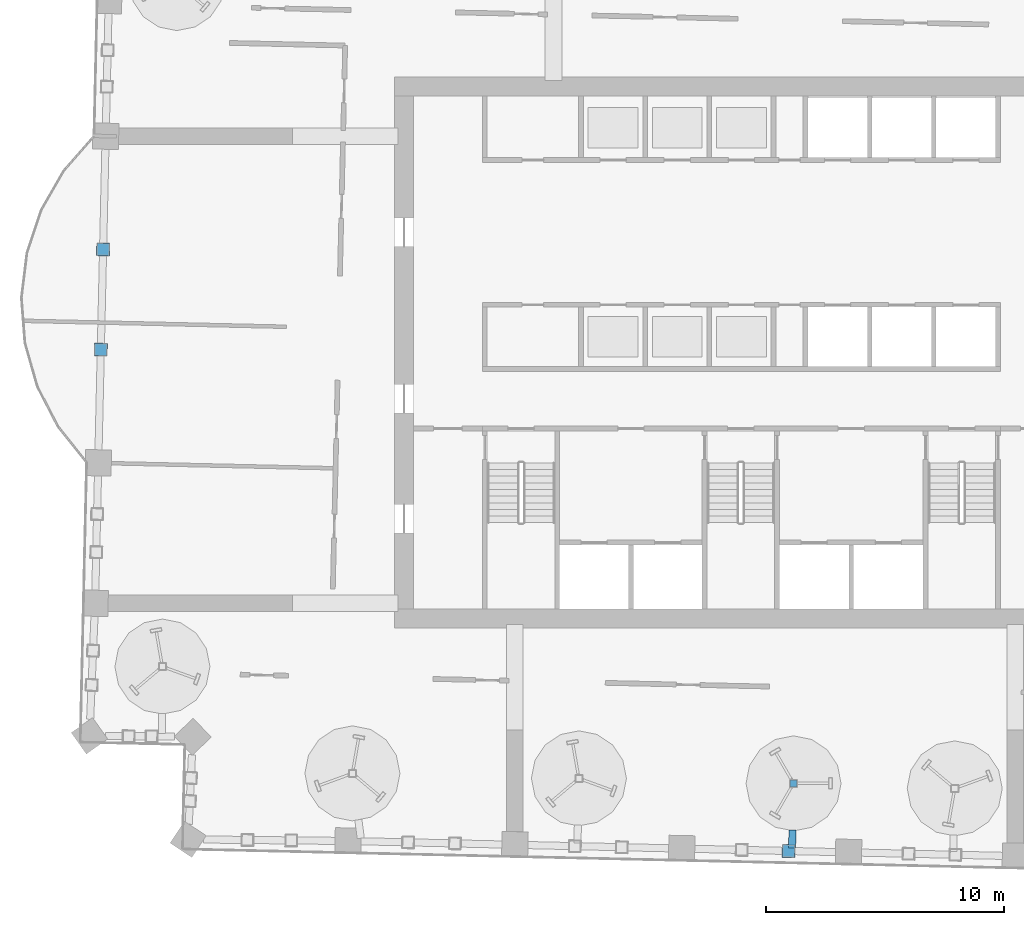
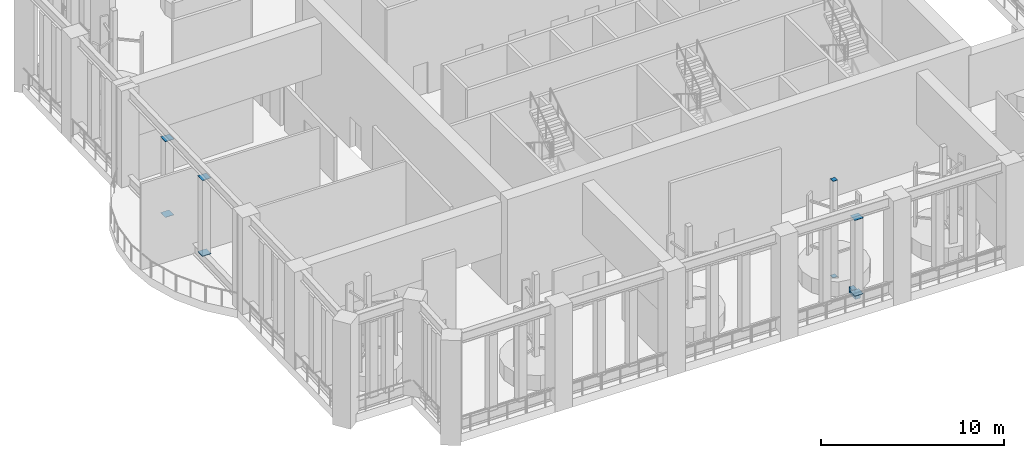
# One storey, part 16 of 33: 9 discrete accessories.
"""IFC4 building model written with IfcOpenShell, lengths in metres."""

from ifc_helpers import new_model, si_unit, direction, frame, origin, origin_2d, place, context, subcontext, project, spatial, rectangle, extrude, material, layer, layer_set, type_object, element, save


model = new_model("IFC4")

# Units and contexts
model_context = context("Model", 3, precision=1e-05, world=origin(), true_north=direction((0.0, 1.0)))
body_context = subcontext(model_context, "Body", "Model", "MODEL_VIEW")
ifc_project = project(units=[si_unit("LENGTHUNIT", "METRE"), si_unit("AREAUNIT", "SQUARE_METRE"), si_unit("VOLUMEUNIT", "CUBIC_METRE"), si_unit("PLANEANGLEUNIT", "RADIAN"), si_unit("MASSUNIT", "GRAM", prefix="KILO")], contexts=[model_context])

# Site, building, storey
site_placement = place(None, origin())
site = spatial("IfcSite", under=ifc_project, at=site_placement, CompositionType="ELEMENT")
building_placement = place(site_placement, origin())
building = spatial("IfcBuilding", under=site, at=building_placement, Name="Mangrove Gate Tower", CompositionType="ELEMENT")
storey_placement = place(building_placement, frame((0.0, 0.0, 219.5)))
storey = spatial("IfcBuildingStorey", under=building, at=storey_placement, Name="L56", CompositionType="ELEMENT", Elevation=219.5)

# Discrete accessories
ifc_material_1 = material(Name="Steel S355J2H", Category="steel")
ifc_layer_1 = layer(ifc_material_1, 0.02001953125)
ifc_layer_set_1 = layer_set([ifc_layer_1], Name="Belt truss end plate 540x540x20")
discrete_accessory_type_1 = type_object("IfcDiscreteAccessoryType", Name="Belt truss end plate 540x540x20", PredefinedType="ANCHORPLATE", material=ifc_layer_set_1)
for number, where, z_axis, x_axis, name in (
    (1, (1.986572265625, -20.987060546875, 0.68994140625), (0.0, 0.0, 1.0), (0.999743742523, -0.022637342732, 0.0), "Belt truss end plate L56 07-2 bottom"),
    (2, (1.986572265625, -20.987060546875, 5.739990234375), (0.0, 0.0, 1.0), (0.999743742523, -0.022637342732, 0.0), "Belt truss end plate L56 07-2 top"),
    (3, (-26.8671875, 4.33251953125, 0.68994140625), (0.0, 0.0, 1.0), (-0.022688345603, -0.999742586356, 0.0), "Belt truss end plate L56 29-1 bottom"),
    (4, (-26.8671875, 4.33251953125, 5.739990234375), (0.0, 0.0, 1.0), (-0.022688345603, -0.999742586356, 0.0), "Belt truss end plate L56 29-1 top"),
    (5, (-26.962890625, 0.116455078125, 0.68994140625), (0.0, 0.0, 1.0), (-0.022688345603, -0.999742586356, 0.0), "Belt truss end plate L56 29-2 bottom"),
    (6, (-26.962890625, 0.116455078125, 5.739990234375), (0.0, 0.0, 1.0), (-0.022688345603, -0.999742586356, 0.0), "Belt truss end plate L56 29-2 top"),
):
    element("IfcDiscreteAccessory", number, at=place(storey_placement, frame(where, z_axis=z_axis, x_axis=x_axis)), inside=storey, type_object=discrete_accessory_type_1, Name=name, PredefinedType="ANCHORPLATE", context=body_context, shape_type="SweptSolid", body=[
        extrude(rectangle(XDim=0.5400390625, YDim=0.5400390625, at=origin_2d()), origin(), (0.0, 0.0, 1.0), 0.02001953125),
    ])
ifc_material_2 = material(Name="Steel S355J2H", Category="steel")
ifc_layer_2 = layer(ifc_material_2, 0.02001953125)
ifc_layer_set_2 = layer_set([ifc_layer_2], Name="Mast end plate 300x300x20")
discrete_accessory_type_2 = type_object("IfcDiscreteAccessoryType", Name="Mast end plate 300x300x20", PredefinedType="ANCHORPLATE", material=ifc_layer_set_2)
for number, where, z_axis, x_axis, name in (
    (7, (2.195068359375, -18.14111328125, 0.0), (0.0, 0.0, 1.0), (1.0, 0.0, 0.0), "END PLATE MAST L56 7 FOOT"),
    (8, (2.195068359375, -18.14111328125, 6.429931640625), (0.0, 0.0, 1.0), (1.0, 0.0, 0.0), "END PLATE MAST L56 7 HEAD"),
):
    element("IfcDiscreteAccessory", number, at=place(storey_placement, frame(where, z_axis=z_axis, x_axis=x_axis)), inside=storey, type_object=discrete_accessory_type_2, Name=name, PredefinedType="ANCHORPLATE", context=body_context, shape_type="SweptSolid", body=[
        extrude(rectangle(XDim=0.300048828125, YDim=0.300048828125, at=origin_2d()), origin(), (0.0, 0.0, 1.0), 0.02001953125),
    ])
ifc_material_3 = material(Name="Steel S355J2", Category="steel")
ifc_layer_3 = layer(ifc_material_3, 0.39990234375)
ifc_layer_set_3 = layer_set([ifc_layer_3], Name="Turbine bracket")
discrete_accessory_type_3 = type_object("IfcDiscreteAccessoryType", Name="Turbine bracket", PredefinedType="BRACKET", material=ifc_layer_set_3)
discrete_accessory_placement = place(storey_placement, frame((2.141845703125, -20.4853515625, 0.150146484375), z_axis=(0.0, 0.0, 1.0), x_axis=(0.022637185692, 0.999743746079, 0.0)))
element("IfcDiscreteAccessory", 9, at=discrete_accessory_placement, inside=storey, type_object=discrete_accessory_type_3, Name="Turbine bracket GEN-L56-S7", PredefinedType="BRACKET", context=body_context, shape_type="SweptSolid", body=[
    extrude(rectangle(XDim=0.75, YDim=0.300048828125, at=origin_2d()), origin(), (0.0, 0.0, 1.0), 0.39990234375),
])

save(model, "model.ifc")
